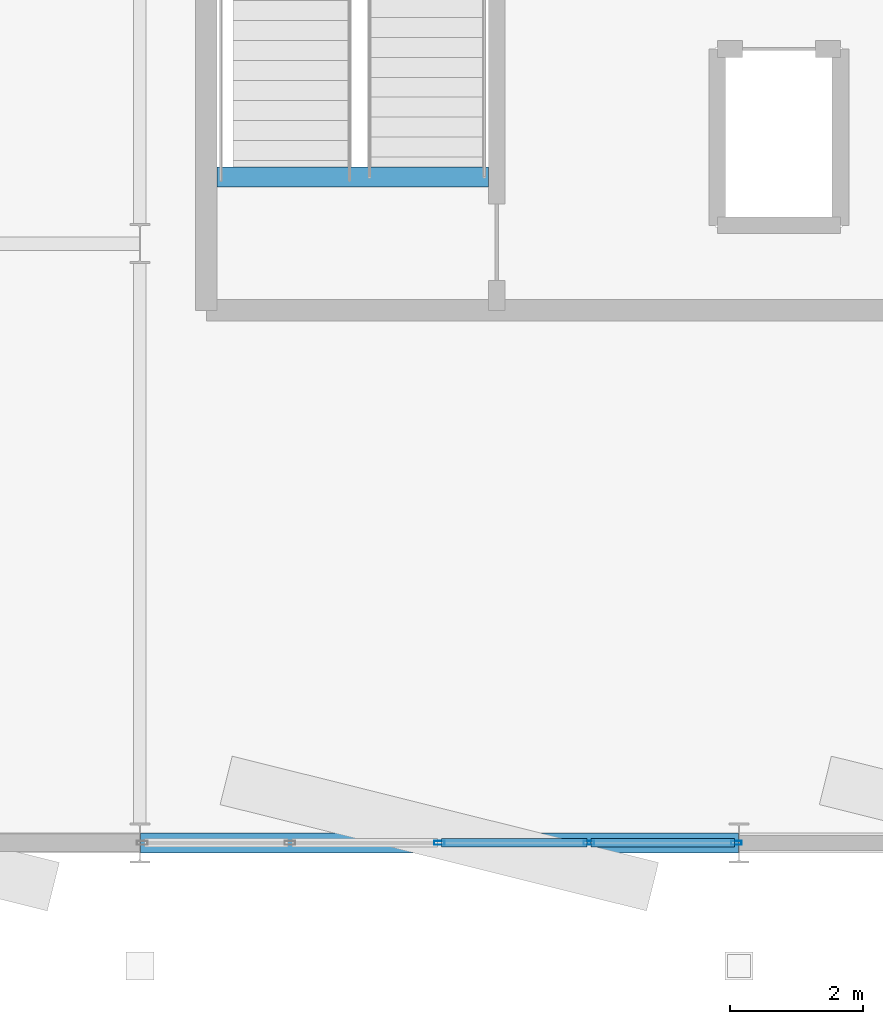
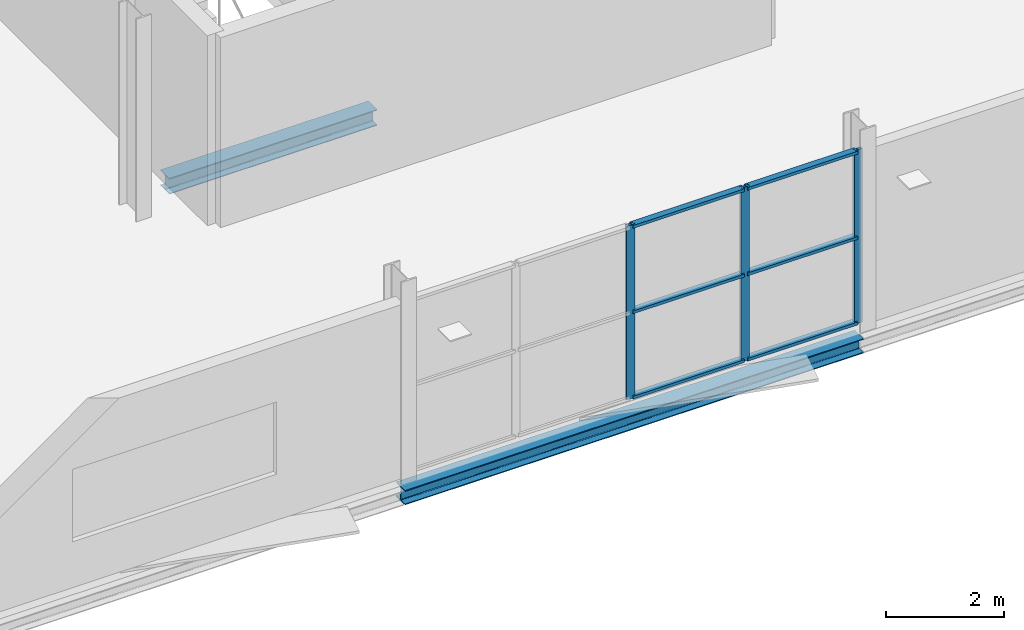
# One storey, part 82 of 132: 9 members, 2 beams, 1 element without a shape of its own.
"""IFC4 building model written with IfcOpenShell, lengths in metres."""

import ifcopenshell
import ifcopenshell.guid

model = None  # the IFC model being written
_history = None  # IfcOwnerHistory: only IFC2X3 demands one
_inside = {}  # id of a spatial element -> (the spatial element, [elements in it])
_under = {}  # id of a project, library or spatial element -> (it, [spatial elements below it])
_declared = {}  # id of a project -> (the project, [libraries it declares])
_typed = {}  # id of a type object -> (the type object, [elements of that type])
_made_of = {}  # id of a material, layer set ... -> (it, [elements and type objects made of it])


def new_model(schema):
    """Start an empty IFC model of exactly this schema.

    Asked for "IFC4X3", IfcOpenShell would pick the latest addendum, in which some entities
    have other attributes; the version numbers below select the first issue.
    IFC2X3 requires an IfcOwnerHistory on every rooted entity: one is made here for all.
    """
    global model, _history
    if schema == "IFC4X3":
        model = ifcopenshell.file(schema_version=(4, 3, 0, 0))
    else:
        model = ifcopenshell.file(schema=schema)
    _inside.clear()
    _under.clear()
    _declared.clear()
    _typed.clear()
    _made_of.clear()
    _history = None
    if model.schema == "IFC2X3":
        org = make("IfcOrganization", Name="unknown")
        user = make(
            "IfcPersonAndOrganization",
            ThePerson=make("IfcPerson", FamilyName="unknown"),
            TheOrganization=org,
        )
        app = make(
            "IfcApplication",
            ApplicationDeveloper=org,
            Version="unknown",
            ApplicationFullName="unknown",
            ApplicationIdentifier="unknown",
        )
        _history = make(
            "IfcOwnerHistory",
            OwningUser=user,
            OwningApplication=app,
            ChangeAction="ADDED",
            CreationDate=0,
        )
    return model


def make(cls, **values):
    """One entity of the class cls with the attributes given. An attribute that is None is left unset."""
    return model.create_entity(
        cls, **{name: value for name, value in values.items() if value is not None}
    )


def rooted(cls, **values):
    """An entity with a GlobalId (a new one), such as an element, a storey or a relation."""
    return make(cls, GlobalId=ifcopenshell.guid.new(), OwnerHistory=_history, **values)


def si_unit(unit_type, name, prefix=None):
    """IfcSIUnit, for example si_unit("LENGTHUNIT", "METRE", prefix="MILLI")."""
    return make("IfcSIUnit", UnitType=unit_type, Prefix=prefix, Name=name)


def assignment(units):
    """IfcUnitAssignment: the units of a project."""
    return None if units is None else make("IfcUnitAssignment", Units=units)


def point(xyz):
    """IfcCartesianPoint."""
    return None if xyz is None else make("IfcCartesianPoint", Coordinates=xyz)


def direction(xyz):
    """IfcDirection."""
    return None if xyz is None else make("IfcDirection", DirectionRatios=xyz)


def frame(location, z_axis=None, x_axis=None):
    """IfcAxis2Placement3D, a coordinate frame: its origin and axes. An axis left out is left unset."""
    return make(
        "IfcAxis2Placement3D",
        Location=point(location),
        Axis=direction(z_axis),
        RefDirection=direction(x_axis),
    )


def frame_2d(location, x_axis=None):
    """IfcAxis2Placement2D, a coordinate frame in the plane: its origin and x axis."""
    return make(
        "IfcAxis2Placement2D", Location=point(location), RefDirection=direction(x_axis)
    )


def origin():
    """The frame at (0, 0, 0) with its axes left unset."""
    return frame((0.0, 0.0, 0.0))


def origin_2d():
    """The frame at (0, 0) in the plane with its x axis left unset."""
    return frame_2d((0.0, 0.0))


def place(relative_to, where):
    """IfcLocalPlacement: puts the frame where relative to a parent placement (None: the world)."""
    return make(
        "IfcLocalPlacement", PlacementRelTo=relative_to, RelativePlacement=where
    )


def context(
    kind, dimensions, precision=None, world=None, true_north=None, identifier=None
):
    """IfcGeometricRepresentationContext, for example the 3D "Model" context."""
    return make(
        "IfcGeometricRepresentationContext",
        ContextIdentifier=identifier,
        ContextType=kind,
        CoordinateSpaceDimension=dimensions,
        Precision=precision,
        WorldCoordinateSystem=world,
        TrueNorth=true_north,
    )


def subcontext(parent, identifier, kind, view, scale=None):
    """IfcGeometricRepresentationSubContext, for example "Body" below "Model"."""
    return make(
        "IfcGeometricRepresentationSubContext",
        ContextIdentifier=identifier,
        ContextType=kind,
        ParentContext=parent,
        TargetScale=scale,
        TargetView=view,
    )


def project(units=None, contexts=None):
    """IfcProject with its units and contexts."""
    return rooted(
        "IfcProject",
        Name="project",
        RepresentationContexts=contexts,
        UnitsInContext=assignment(units),
    )


def spatial(cls, under=None, at=None, **own):
    """A site, building, storey or space (cls), placed at a placement, below another one or the project."""
    s = rooted(cls, ObjectPlacement=at, **own)
    if under is not None:
        _under.setdefault(under.id(), (under, []))[1].append(s)
    return s


def profile(cls, at=None, kind="AREA", **sizes):
    """A parametric profile (cls). Its sizes go by their IFC names, for example OverallWidth=200.0."""
    return make(cls, ProfileType=kind, Position=at, **sizes)


def hollow_rectangle(**sizes):
    """IfcRectangleHollowProfileDef."""
    return profile("IfcRectangleHollowProfileDef", **sizes)


def i_section(**sizes):
    """IfcIShapeProfileDef."""
    return profile("IfcIShapeProfileDef", **sizes)


def extrude(swept, where, along, depth):
    """IfcExtrudedAreaSolid: the profile swept, set in the frame where, extruded along a direction by depth."""
    return make(
        "IfcExtrudedAreaSolid",
        SweptArea=swept,
        Position=where,
        ExtrudedDirection=direction(along),
        Depth=depth,
    )


def shape(context_of_items, identifier, shape_type, items):
    """IfcShapeRepresentation: the items that make up one representation, for example the "Body"."""
    return make(
        "IfcShapeRepresentation",
        ContextOfItems=context_of_items,
        RepresentationIdentifier=identifier,
        RepresentationType=shape_type,
        Items=items,
    )


def material(Name=None, Category=None):
    """IfcMaterial."""
    return make("IfcMaterial", Name=Name, Category=Category)


def layer(
    of_material, thickness, ventilated=None, Name=None, Category=None, Priority=None
):
    """IfcMaterialLayer: one layer of a wall or slab, of a material (None: an air gap)."""
    return make(
        "IfcMaterialLayer",
        Material=of_material,
        LayerThickness=thickness,
        IsVentilated=ventilated,
        Name=Name,
        Category=Category,
        Priority=Priority,
    )


def layer_set(layers, Name=None):
    """IfcMaterialLayerSet."""
    return make("IfcMaterialLayerSet", MaterialLayers=layers, LayerSetName=Name)


def material_profile(
    of_material, cross_section, Name=None, Category=None, Priority=None
):
    """IfcMaterialProfile: a cross section and its material."""
    return make(
        "IfcMaterialProfile",
        Name=Name,
        Material=of_material,
        Profile=cross_section,
        Priority=Priority,
        Category=Category,
    )


def profile_set(profiles, Name=None, composite=None):
    """IfcMaterialProfileSet."""
    return make(
        "IfcMaterialProfileSet",
        Name=Name,
        MaterialProfiles=profiles,
        CompositeProfile=composite,
    )


def made_of(thing, what):
    """Note that an element or type object is made of a material, layer set ...; save() writes the relation."""
    if what is not None:
        _made_of.setdefault(what.id(), (what, []))[1].append(thing)
    return thing


def type_object(cls, material=None, **own):
    """A type object (cls), such as IfcWallType, which elements share."""
    return made_of(rooted(cls, **own), material)


def element(
    cls,
    number,
    at=None,
    inside=None,
    cuts=None,
    type_object=None,
    material=None,
    context=None,
    identifier="Body",
    shape_type=None,
    held_by="IfcProductDefinitionShape",
    body=None,
    shapes=None,
    **own,
):
    """One element of the class cls, such as IfcWall. Its Tag is "e" and its number.

    at: its placement. inside: the storey or other place that contains it. cuts: it is an
    opening in that element (IfcRelVoidsElement). A single representation is given by context,
    identifier, shape_type and body (its items); several are given by shapes. held_by: the class
    of the entity that holds the representations. save() writes the other relations.
    """
    e = rooted(cls, Tag="e%d" % number, ObjectPlacement=at, **own)
    if body is not None:
        shapes = [shape(context, identifier, shape_type, body)]
    if shapes is not None:
        e.Representation = make(held_by, Representations=shapes)
    if inside is not None:
        _inside.setdefault(inside.id(), (inside, []))[1].append(e)
    if cuts is not None:
        rooted(
            "IfcRelVoidsElement", RelatingBuildingElement=cuts, RelatedOpeningElement=e
        )
    if type_object is not None:
        _typed.setdefault(type_object.id(), (type_object, []))[1].append(e)
    return made_of(e, material)


def aggregate(whole, parts):
    """IfcRelAggregates: a whole, such as a stair, and the parts it consists of."""
    return rooted("IfcRelAggregates", RelatingObject=whole, RelatedObjects=parts)


def save(model, path):
    """Write the relations noted so far, then the file.

    IfcRelAggregates (storeys below a building ...), IfcRelContainedInSpatialStructure (elements
    in a storey), IfcRelDefinesByType, IfcRelAssociatesMaterial and IfcRelDeclares: one each for
    every whole, place, type object, material and project.
    """
    for whole, parts in _under.values():
        aggregate(whole, parts)
    for where, things in _inside.values():
        rooted(
            "IfcRelContainedInSpatialStructure",
            RelatedElements=things,
            RelatingStructure=where,
        )
    for kind, things in _typed.values():
        rooted("IfcRelDefinesByType", RelatedObjects=things, RelatingType=kind)
    for what, things in _made_of.values():
        rooted("IfcRelAssociatesMaterial", RelatedObjects=things, RelatingMaterial=what)
    for by, libraries in _declared.values():
        rooted("IfcRelDeclares", RelatingContext=by, RelatedDefinitions=libraries)
    model.write(path)


model = new_model("IFC4")

# Units and contexts
model_context = context("Model", 3, precision=1e-05, world=origin(), true_north=direction((0.0, 1.0)))
body_context = subcontext(model_context, "Body", "Model", "MODEL_VIEW")
ifc_project = project(units=[si_unit("LENGTHUNIT", "METRE"), si_unit("AREAUNIT", "SQUARE_METRE"), si_unit("VOLUMEUNIT", "CUBIC_METRE"), si_unit("PLANEANGLEUNIT", "RADIAN"), si_unit("MASSUNIT", "GRAM", prefix="KILO")], contexts=[model_context])

# Site, building, storey
site_placement = place(None, origin())
site = spatial("IfcSite", under=ifc_project, at=site_placement, CompositionType="ELEMENT")
building_placement = place(site_placement, origin())
building = spatial("IfcBuilding", under=site, at=building_placement, Name="Deido Ridge Mobility Hub", CompositionType="ELEMENT")
storey_placement = place(building_placement, frame((0.0, 0.0, 8.39990234375)))
storey = spatial("IfcBuildingStorey", under=building, at=storey_placement, Name="L02", CompositionType="ELEMENT", Elevation=8.39990234375)

# Beam
ifc_material_1 = material(Name="Steel S355J2 EN 10025-2", Category="steel")
ifc_material_profile_1 = material_profile(ifc_material_1, i_section(OverallWidth=0.300048828125, OverallDepth=0.330078125, WebThickness=0.009521484375, FlangeThickness=0.0166015625, FilletRadius=0.027099609375, at=origin_2d()), Name="HEA 340")
ifc_profile_set_1 = profile_set([ifc_material_profile_1], Name="Steel S355J2 EN 10025-2")
beam_type_1 = type_object("IfcBeamType", Name="BM-HEA340", PredefinedType="BEAM", material=ifc_profile_set_1)
beam_1_placement = place(storey_placement, frame((163.16259765625, 10.0, -0.419921875), z_axis=(1.0, 0.0, 0.0), x_axis=(0.0, 1.0, 0.0)))
element("IfcBeam", 1, at=beam_1_placement, inside=storey, type_object=beam_type_1, Name="C1 stair landing trimmer beam B6", PredefinedType="BEAM", context=body_context, shape_type="SweptSolid", body=[
    extrude(i_section(OverallWidth=0.300048828125, OverallDepth=0.330078125, WebThickness=0.009521484375, FlangeThickness=0.0166015625, FilletRadius=0.027099609375, at=origin_2d()), origin(), (0.0, 0.0, 1.0), 4.072509765625),
])

# Curtain wall, members
ifc_material_2 = material(Name="Anodised aluminium EN AW-6063 T6", Category="aluminium")
ifc_layer = layer(ifc_material_2, 0.195068359375, Name="Anodised aluminium EN AW-6063 T6")
ifc_layer_set = layer_set([ifc_layer], Name="Anodised aluminium EN AW-6063 T6")
curtain_wall_type = type_object("IfcCurtainWallType", Name="CW-UF-3", PredefinedType="USERDEFINED", material=ifc_layer_set)
curtain_wall_placement = place(storey_placement, origin())
curtain_wall = element("IfcCurtainWall", 2, at=curtain_wall_placement, inside=storey, type_object=curtain_wall_type, Name="Unitised curtain wall CW3", ObjectType="UNITISED FACADE", PredefinedType="USERDEFINED")
ifc_material_profile_2 = material_profile(ifc_material_2, hollow_rectangle(XDim=0.06005859375, YDim=0.159912109375, WallThickness=0.00390625, at=origin_2d()), Name="RHS 60x160x4")
ifc_profile_set_2 = profile_set([ifc_material_profile_2], Name="Anodised aluminium EN AW-6063 T6")
member_type_1 = type_object("IfcMemberType", Name="MEM-MUL-60X160", PredefinedType="MULLION", material=ifc_profile_set_2)
member_1_placement = place(storey_placement, frame((166.5, 0.0, 0.0), z_axis=(0.0, 0.0, 1.0), x_axis=(0.0, 1.0, 0.0)))
member_1 = element("IfcMember", 3, at=member_1_placement, type_object=member_type_1, Name="CW3 mullion 3", PredefinedType="MULLION", context=body_context, shape_type="SweptSolid", body=[
    extrude(hollow_rectangle(XDim=0.06005859375, YDim=0.159912109375, WallThickness=0.00390625, at=origin_2d()), origin(), (0.0, 0.0, 1.0), 3.60009765625),
])
member_2_placement = place(storey_placement, frame((168.74609375, 0.0, 0.0), z_axis=(0.0, 0.0, 1.0), x_axis=(0.0, 1.0, 0.0)))
member_2 = element("IfcMember", 4, at=member_2_placement, type_object=member_type_1, Name="CW3 mullion 4", PredefinedType="MULLION", context=body_context, shape_type="SweptSolid", body=[
    extrude(hollow_rectangle(XDim=0.06005859375, YDim=0.159912109375, WallThickness=0.00390625, at=origin_2d()), origin(), (0.0, 0.0, 1.0), 3.60009765625),
])
member_3_placement = place(storey_placement, frame((170.96240234375, 0.0, 0.0), z_axis=(0.0, 0.0, 1.0), x_axis=(0.0, 1.0, 0.0)))
member_3 = element("IfcMember", 5, at=member_3_placement, type_object=member_type_1, Name="CW3 mullion 5", PredefinedType="MULLION", context=body_context, shape_type="SweptSolid", body=[
    extrude(hollow_rectangle(XDim=0.06005859375, YDim=0.159912109375, WallThickness=0.00390625, at=origin_2d()), origin(), (0.0, 0.0, 1.0), 3.60009765625),
])
ifc_material_profile_3 = material_profile(ifc_material_2, hollow_rectangle(XDim=0.125, YDim=0.06005859375, WallThickness=0.00390625, at=origin_2d()), Name="RHS 125x60x4")
ifc_profile_set_3 = profile_set([ifc_material_profile_3], Name="Anodised aluminium EN AW-6063 T6")
member_type_2 = type_object("IfcMemberType", Name="MEM-TRN-125X60", PredefinedType="USERDEFINED", material=ifc_profile_set_3)
member_4_placement = place(storey_placement, frame((166.530029296875, 0.0, 0.030029296875), z_axis=(1.0, 0.0, 0.0), x_axis=(0.0, 1.0, 0.0)))
member_4 = element("IfcMember", 6, at=member_4_placement, type_object=member_type_2, Name="CW3 transom 3.1", ObjectType="TRANSOM", PredefinedType="USERDEFINED", context=body_context, shape_type="SweptSolid", body=[
    extrude(hollow_rectangle(XDim=0.125, YDim=0.06005859375, WallThickness=0.00390625, at=origin_2d()), origin(), (0.0, 0.0, 1.0), 2.18603515625),
])
member_5_placement = place(storey_placement, frame((166.530029296875, 0.0, 1.800048828125), z_axis=(1.0, 0.0, 0.0), x_axis=(0.0, 1.0, 0.0)))
member_5 = element("IfcMember", 7, at=member_5_placement, type_object=member_type_2, Name="CW3 transom 3.2", ObjectType="TRANSOM", PredefinedType="USERDEFINED", context=body_context, shape_type="SweptSolid", body=[
    extrude(hollow_rectangle(XDim=0.125, YDim=0.06005859375, WallThickness=0.00390625, at=origin_2d()), origin(), (0.0, 0.0, 1.0), 2.18603515625),
])
member_6_placement = place(storey_placement, frame((166.530029296875, 0.0, 3.570068359375), z_axis=(1.0, 0.0, 0.0), x_axis=(0.0, 1.0, 0.0)))
member_6 = element("IfcMember", 8, at=member_6_placement, type_object=member_type_2, Name="CW3 transom 3.3", ObjectType="TRANSOM", PredefinedType="USERDEFINED", context=body_context, shape_type="SweptSolid", body=[
    extrude(hollow_rectangle(XDim=0.125, YDim=0.06005859375, WallThickness=0.00390625, at=origin_2d()), origin(), (0.0, 0.0, 1.0), 2.18603515625),
])
member_7_placement = place(storey_placement, frame((168.776123046875, 0.0, 0.030029296875), z_axis=(1.0, 0.0, 0.0), x_axis=(0.0, 1.0, 0.0)))
member_7 = element("IfcMember", 9, at=member_7_placement, type_object=member_type_2, Name="CW3 transom 4.1", ObjectType="TRANSOM", PredefinedType="USERDEFINED", context=body_context, shape_type="SweptSolid", body=[
    extrude(hollow_rectangle(XDim=0.125, YDim=0.06005859375, WallThickness=0.00390625, at=origin_2d()), origin(), (0.0, 0.0, 1.0), 2.15625),
])
member_8_placement = place(storey_placement, frame((168.776123046875, 0.0, 1.800048828125), z_axis=(1.0, 0.0, 0.0), x_axis=(0.0, 1.0, 0.0)))
member_8 = element("IfcMember", 10, at=member_8_placement, type_object=member_type_2, Name="CW3 transom 4.2", ObjectType="TRANSOM", PredefinedType="USERDEFINED", context=body_context, shape_type="SweptSolid", body=[
    extrude(hollow_rectangle(XDim=0.125, YDim=0.06005859375, WallThickness=0.00390625, at=origin_2d()), origin(), (0.0, 0.0, 1.0), 2.15625),
])
member_9_placement = place(storey_placement, frame((168.776123046875, 0.0, 3.570068359375), z_axis=(1.0, 0.0, 0.0), x_axis=(0.0, 1.0, 0.0)))
member_9 = element("IfcMember", 11, at=member_9_placement, type_object=member_type_2, Name="CW3 transom 4.3", ObjectType="TRANSOM", PredefinedType="USERDEFINED", context=body_context, shape_type="SweptSolid", body=[
    extrude(hollow_rectangle(XDim=0.125, YDim=0.06005859375, WallThickness=0.00390625, at=origin_2d()), origin(), (0.0, 0.0, 1.0), 2.15625),
])
aggregate(curtain_wall, [member_1, member_2, member_3, member_4, member_5, member_6, member_7, member_8, member_9])

# Beam
ifc_material_profile_4 = material_profile(ifc_material_1, i_section(OverallWidth=0.300048828125, OverallDepth=0.300048828125, WebThickness=0.010986328125, FlangeThickness=0.01904296875, FilletRadius=0.027099609375, at=origin_2d()), Name="HEB 300")
ifc_profile_set_4 = profile_set([ifc_material_profile_4], Name="Steel S355J2 EN 10025-2")
beam_type_2 = type_object("IfcBeamType", Name="SPD-HEB300", PredefinedType="SPANDREL", material=ifc_profile_set_4)
beam_2_placement = place(storey_placement, frame((162.0078125, 0.0, -0.40478515625), z_axis=(1.0, 0.0, 0.0), x_axis=(0.0, 1.0, 0.0)))
element("IfcBeam", 12, at=beam_2_placement, inside=storey, type_object=beam_type_2, Name="Floor beam SP1", PredefinedType="SPANDREL", context=body_context, shape_type="SweptSolid", body=[
    extrude(i_section(OverallWidth=0.300048828125, OverallDepth=0.300048828125, WebThickness=0.010986328125, FlangeThickness=0.01904296875, FilletRadius=0.027099609375, at=origin_2d()), origin(), (0.0, 0.0, 1.0), 8.984375),
])

save(model, "model.ifc")
